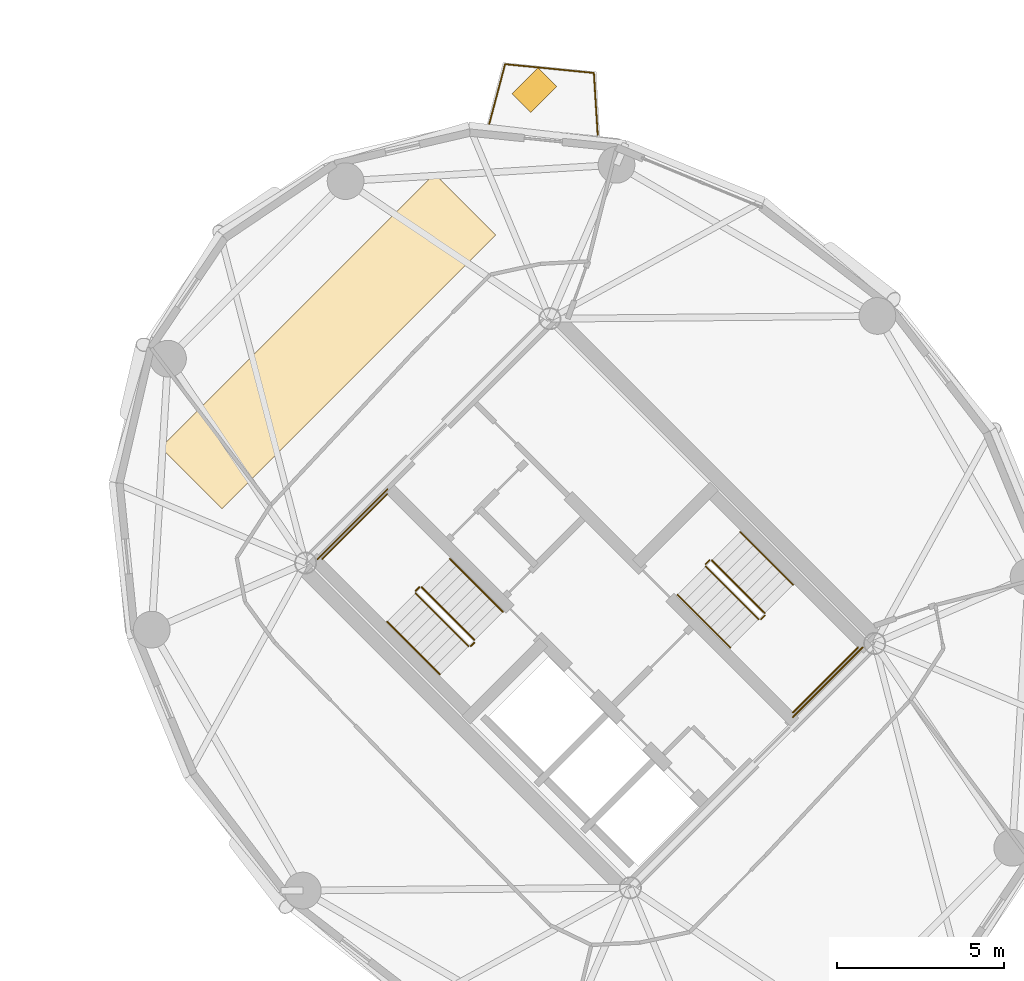
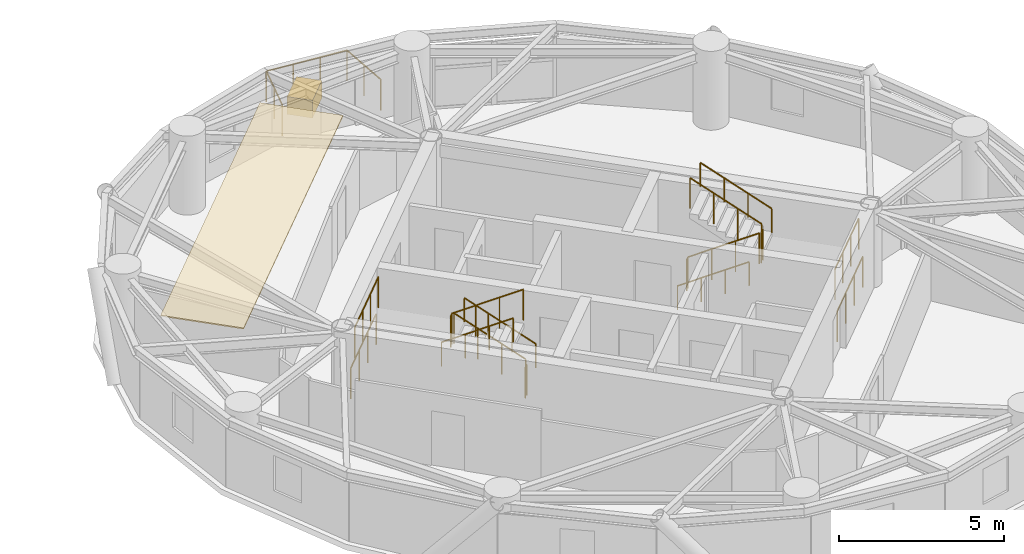
# One storey, part 14 of 15: 17 railings, 2 coverings.
"""IFC4 building model written with IfcOpenShell, lengths in metres."""

from ifc_helpers import new_model, si_unit, direction, frame, origin, origin_2d, place, context, subcontext, project, spatial, polyline, rectangle, circle, outline, extrude, source, transform, mapped, material, layer, layer_set, type_object, element, save


model = new_model("IFC4")

# Units and contexts
model_context = context("Model", 3, precision=1e-05, world=origin(), true_north=direction((0.0, 1.0)))
body_context = subcontext(model_context, "Body", "Model", "MODEL_VIEW")
ifc_project = project(units=[si_unit("LENGTHUNIT", "METRE"), si_unit("AREAUNIT", "SQUARE_METRE"), si_unit("VOLUMEUNIT", "CUBIC_METRE"), si_unit("PLANEANGLEUNIT", "RADIAN"), si_unit("MASSUNIT", "GRAM", prefix="KILO")], contexts=[model_context])

# Site, building, storey
site_placement = place(None, origin())
site = spatial("IfcSite", under=ifc_project, at=site_placement, CompositionType="ELEMENT")
building_placement = place(site_placement, origin())
building = spatial("IfcBuilding", under=site, at=building_placement, Name="Cununo Teusaquillo Station Towers", CompositionType="ELEMENT")
storey_placement = place(building_placement, frame((0.0, 0.0, 199.570068359375)))
storey = spatial("IfcBuildingStorey", under=building, at=storey_placement, Name="L63", CompositionType="ELEMENT", Elevation=199.570068359375)

# Covering
ifc_material_1 = material(Name="Mineral-fibre acoustic suspended ceiling tile", Category="finish")
ifc_layer_1 = layer(ifc_material_1, 0.044921875)
ifc_layer_set_1 = layer_set([ifc_layer_1], Name="Mineral-fibre acoustic suspended ceiling tile")
covering_type_1 = type_object("IfcCoveringType", Name="COV-CEIL-600", PredefinedType="CEILING", material=ifc_layer_set_1)
covering_1_placement = place(storey_placement, frame((0.0, 0.0, 2.655029296875)))
element("IfcCovering", 1, at=covering_1_placement, inside=storey, type_object=covering_type_1, Name="L63 Tower B Acoustic Ceiling", PredefinedType="CEILING", context=body_context, shape_type="SweptSolid", body=[
    extrude(outline(polyline([(52.8330078125, 37.369384765625), (54.671630859375, 35.531005859375), (46.468994140625, 27.328369140625), (44.630615234375, 29.1669921875), (52.8330078125, 37.369384765625)])), origin(), (0.0, 0.0, 1.0), 0.044921875),
])

# Railings
ifc_material_2 = material(Name="Anodised dark bronze aluminium EN AW-6063-T6", Category="aluminium")
railing_type_1 = type_object("IfcRailingType", Name="RL-EXT-GUARD", PredefinedType="GUARDRAIL", material=ifc_material_2)
railing_1_placement = place(storey_placement, frame((54.476806640625, 38.8583984375, 0.0)))
element("IfcRailing", 2, at=railing_1_placement, inside=storey, type_object=railing_type_1, Name="L63 Tower B Balcony Guardrail C02", PredefinedType="GUARDRAIL", context=body_context, shape_type="SweptSolid", body=[
    extrude(circle(Radius=0.02392578125, at=origin_2d()), frame((0.0, 0.0, 1.1259765625), z_axis=(0.256417131113, 0.966566218565, 0.0), x_axis=(-0.966566218565, 0.256417131113, 0.0)), (0.0, 0.0, 1.0), 1.854736328125),
    extrude(circle(Radius=0.02392578125, at=origin_2d()), frame((0.4755859375, 1.792724609375, 1.1259765625), z_axis=(0.995123619559, -0.098635601058, 0.0), x_axis=(0.098635601058, 0.995123619559, 0.0)), (0.0, 0.0, 1.0), 2.673095703125),
    extrude(circle(Radius=0.02392578125, at=origin_2d()), frame((3.1357421875, 1.529052734375, 1.1259765625), z_axis=(0.061615983027, -0.998099930185, 0.0), x_axis=(0.998099930185, 0.061615983027, 0.0)), (0.0, 0.0, 1.0), 1.854248046875),
    extrude(circle(Radius=0.02099609375, at=origin_2d()), origin(), (0.0, 0.0, 1.0), 1.101806640625),
    extrude(circle(Radius=0.02099609375, at=origin_2d()), frame((0.23779296875, 0.896484375, 0.0)), (0.0, 0.0, 1.0), 1.101806640625),
    extrude(circle(Radius=0.02099609375, at=origin_2d()), frame((0.4755859375, 1.792724609375, 0.0)), (0.0, 0.0, 1.0), 1.101806640625),
    extrude(circle(Radius=0.02099609375, at=origin_2d()), frame((1.3623046875, 1.704833984375, 0.0)), (0.0, 0.0, 1.0), 1.101806640625),
    extrude(circle(Radius=0.02099609375, at=origin_2d()), frame((2.2490234375, 1.616943359375, 0.0)), (0.0, 0.0, 1.0), 1.101806640625),
    extrude(circle(Radius=0.02099609375, at=origin_2d()), frame((3.1357421875, 1.529052734375, 0.0)), (0.0, 0.0, 1.0), 1.101806640625),
    extrude(circle(Radius=0.02099609375, at=origin_2d()), frame((3.19287109375, 0.603515625, 0.0)), (0.0, 0.0, 1.0), 1.101806640625),
    extrude(circle(Radius=0.02099609375, at=origin_2d()), frame((3.25, -0.32177734375, 0.0)), (0.0, 0.0, 1.0), 1.101806640625),
])
ifc_material_3 = material(Name="Steel EN 10025-2 S355J2", Category="steel")
railing_type_2 = type_object("IfcRailingType", Name="RL-INT-GUARD", PredefinedType="GUARDRAIL", material=ifc_material_3)
railing_2_placement = place(storey_placement, frame((54.03515625, 23.39697265625, 0.16162109375)))
element("IfcRailing", 3, at=railing_2_placement, inside=storey, type_object=railing_type_2, Name="L63 ST-T2-1 stair guard 1", PredefinedType="GUARDRAIL", context=body_context, shape_type="SweptSolid", body=[
    extrude(circle(Radius=0.02392578125, at=origin_2d()), frame((0.0, 0.0, 1.1259765625), z_axis=(-0.612361259024, 0.612361259024, 0.500027376144), x_axis=(-0.707106781187, -0.707106781187, 0.0)), (0.0, 0.0, 1.0), 2.586181640625),
    extrude(circle(Radius=0.02099609375, at=origin_2d()), origin(), (0.0, 0.0, 1.0), 1.101806640625),
    extrude(circle(Radius=0.02099609375, at=origin_2d()), frame((-0.52783203125, 0.52783203125, 0.43115234375)), (0.0, 0.0, 1.0), 1.101806640625),
    extrude(circle(Radius=0.02099609375, at=origin_2d()), frame((-1.055908203125, 1.055908203125, 0.862060546875)), (0.0, 0.0, 1.0), 1.101806640625),
    extrude(circle(Radius=0.02099609375, at=origin_2d()), frame((-1.583740234375, 1.583740234375, 1.293212890625)), (0.0, 0.0, 1.0), 1.101806640625),
])
railing_3_placement = place(storey_placement, frame((52.380615234375, 24.980712890625, 1.454833984375)))
element("IfcRailing", 4, at=railing_3_placement, inside=storey, type_object=railing_type_2, Name="L63 ST-T2-1 stair guard 2", PredefinedType="GUARDRAIL", context=body_context, shape_type="SweptSolid", body=[
    extrude(circle(Radius=0.02392578125, at=origin_2d()), frame((0.0, 0.0, 1.1259765625), z_axis=(-0.7078691598, -0.706343579714, 0.0), x_axis=(0.706343579714, -0.7078691598, 0.0)), (0.0, 0.0, 1.0), 0.159912109375),
    extrude(circle(Radius=0.02099609375, at=origin_2d()), origin(), (0.0, 0.0, 1.0), 1.101806640625),
    extrude(circle(Radius=0.02099609375, at=origin_2d()), frame((-0.11328125, -0.113037109375, 0.0)), (0.0, 0.0, 1.0), 1.101806640625),
])
railing_4_placement = place(storey_placement, frame((51.426025390625, 27.77392578125, 1.454833984375)))
element("IfcRailing", 5, at=railing_4_placement, inside=storey, type_object=railing_type_2, Name="L63 ST-T2-1 stair guard 3", PredefinedType="GUARDRAIL", context=body_context, shape_type="SweptSolid", body=[
    extrude(circle(Radius=0.02392578125, at=origin_2d()), frame((0.0, 0.0, 1.1259765625), z_axis=(-0.707106781187, -0.707106781187, 0.0), x_axis=(0.707106781187, -0.707106781187, 0.0)), (0.0, 0.0, 1.0), 2.760009765625),
    extrude(circle(Radius=0.02099609375, at=origin_2d()), origin(), (0.0, 0.0, 1.0), 1.101806640625),
    extrude(circle(Radius=0.02099609375, at=origin_2d()), frame((-0.650634765625, -0.650634765625, 0.0)), (0.0, 0.0, 1.0), 1.101806640625),
    extrude(circle(Radius=0.02099609375, at=origin_2d()), frame((-1.301025390625, -1.301025390625, 0.0)), (0.0, 0.0, 1.0), 1.101806640625),
    extrude(circle(Radius=0.02099609375, at=origin_2d()), frame((-1.95166015625, -1.95166015625, 0.0)), (0.0, 0.0, 1.0), 1.101806640625),
])
railing_5_placement = place(storey_placement, frame((52.267333984375, 24.796875, 1.61669921875)))
element("IfcRailing", 6, at=railing_5_placement, inside=storey, type_object=railing_type_2, Name="L63 ST-T2-1 stair guard 4", PredefinedType="GUARDRAIL", context=body_context, shape_type="SweptSolid", body=[
    extrude(circle(Radius=0.02392578125, at=origin_2d()), frame((0.0, 0.0, 1.1259765625), z_axis=(0.612420254088, -0.612325861324, 0.499998471934), x_axis=(0.707052281454, 0.707161276719, 0.0)), (0.0, 0.0, 1.0), 2.58642578125),
    extrude(circle(Radius=0.02099609375, at=origin_2d()), origin(), (0.0, 0.0, 1.0), 1.101806640625),
    extrude(circle(Radius=0.02099609375, at=origin_2d()), frame((0.528076171875, -0.52783203125, 0.43115234375)), (0.0, 0.0, 1.0), 1.101806640625),
    extrude(circle(Radius=0.02099609375, at=origin_2d()), frame((1.055908203125, -1.055908203125, 0.862060546875)), (0.0, 0.0, 1.0), 1.101806640625),
    extrude(circle(Radius=0.02099609375, at=origin_2d()), frame((1.583984375, -1.583740234375, 1.293212890625)), (0.0, 0.0, 1.0), 1.101806640625),
])
railing_6_placement = place(storey_placement, frame((54.03515625, 23.326171875, 0.0)))
element("IfcRailing", 7, at=railing_6_placement, inside=storey, type_object=railing_type_2, Name="L63 ST-T2-1 stair guard 5", PredefinedType="GUARDRAIL", context=body_context, shape_type="SweptSolid", body=[
    extrude(circle(Radius=0.02392578125, at=origin_2d()), frame((0.0, 0.0, 1.1259765625), z_axis=(-0.707106781187, -0.707106781187, 0.0), x_axis=(0.707106781187, -0.707106781187, 0.0)), (0.0, 0.0, 1.0), 0.159912109375),
    extrude(circle(Radius=0.02099609375, at=origin_2d()), origin(), (0.0, 0.0, 1.0), 1.101806640625),
    extrude(circle(Radius=0.02099609375, at=origin_2d()), frame((-0.113037109375, -0.113037109375, 0.0)), (0.0, 0.0, 1.0), 1.101806640625),
])
railing_7_placement = place(storey_placement, frame((51.426025390625, 27.915283203125, 0.0)))
element("IfcRailing", 8, at=railing_7_placement, inside=storey, type_object=railing_type_2, Name="L63 ST-T2-1 stair guard 6", PredefinedType="GUARDRAIL", context=body_context, shape_type="SweptSolid", body=[
    extrude(circle(Radius=0.02392578125, at=origin_2d()), frame((0.0, 0.0, 1.1259765625), z_axis=(-0.707106781187, -0.707106781187, 0.0), x_axis=(0.707106781187, -0.707106781187, 0.0)), (0.0, 0.0, 1.0), 2.9599609375),
    extrude(circle(Radius=0.02099609375, at=origin_2d()), origin(), (0.0, 0.0, 1.0), 1.101806640625),
    extrude(circle(Radius=0.02099609375, at=origin_2d()), frame((-0.69775390625, -0.69775390625, 0.0)), (0.0, 0.0, 1.0), 1.101806640625),
    extrude(circle(Radius=0.02099609375, at=origin_2d()), frame((-1.395263671875, -1.395263671875, 0.0)), (0.0, 0.0, 1.0), 1.101806640625),
    extrude(circle(Radius=0.02099609375, at=origin_2d()), frame((-2.093017578125, -2.093017578125, 0.0)), (0.0, 0.0, 1.0), 1.101806640625),
])
railing_8_placement = place(storey_placement, frame((60.96484375, 25.60302734375, 0.16162109375)))
element("IfcRailing", 9, at=railing_8_placement, inside=storey, type_object=railing_type_2, Name="L63 ST-T2-2 stair guard 1", PredefinedType="GUARDRAIL", context=body_context, shape_type="SweptSolid", body=[
    extrude(circle(Radius=0.02392578125, at=origin_2d()), frame((0.0, 0.0, 1.1259765625), z_axis=(0.612361259024, -0.612361259024, 0.500027376144), x_axis=(0.707106781187, 0.707106781187, 0.0)), (0.0, 0.0, 1.0), 2.586181640625),
    extrude(circle(Radius=0.02099609375, at=origin_2d()), origin(), (0.0, 0.0, 1.0), 1.101806640625),
    extrude(circle(Radius=0.02099609375, at=origin_2d()), frame((0.52783203125, -0.52783203125, 0.43115234375)), (0.0, 0.0, 1.0), 1.101806640625),
    extrude(circle(Radius=0.02099609375, at=origin_2d()), frame((1.055908203125, -1.055908203125, 0.862060546875)), (0.0, 0.0, 1.0), 1.101806640625),
    extrude(circle(Radius=0.02099609375, at=origin_2d()), frame((1.583740234375, -1.583740234375, 1.293212890625)), (0.0, 0.0, 1.0), 1.101806640625),
])
railing_9_placement = place(storey_placement, frame((62.619384765625, 24.019287109375, 1.454833984375)))
element("IfcRailing", 10, at=railing_9_placement, inside=storey, type_object=railing_type_2, Name="L63 ST-T2-2 stair guard 2", PredefinedType="GUARDRAIL", context=body_context, shape_type="SweptSolid", body=[
    extrude(circle(Radius=0.02392578125, at=origin_2d()), frame((0.0, 0.0, 1.1259765625), z_axis=(0.7078691598, 0.706343579714, 0.0), x_axis=(-0.706343579714, 0.7078691598, 0.0)), (0.0, 0.0, 1.0), 0.159912109375),
    extrude(circle(Radius=0.02099609375, at=origin_2d()), origin(), (0.0, 0.0, 1.0), 1.101806640625),
    extrude(circle(Radius=0.02099609375, at=origin_2d()), frame((0.11328125, 0.113037109375, 0.0)), (0.0, 0.0, 1.0), 1.101806640625),
])
railing_10_placement = place(storey_placement, frame((63.573974609375, 21.22607421875, 1.454833984375)))
element("IfcRailing", 11, at=railing_10_placement, inside=storey, type_object=railing_type_2, Name="L63 ST-T2-2 stair guard 3", PredefinedType="GUARDRAIL", context=body_context, shape_type="SweptSolid", body=[
    extrude(circle(Radius=0.02392578125, at=origin_2d()), frame((0.0, 0.0, 1.1259765625), z_axis=(0.707106781187, 0.707106781187, 0.0), x_axis=(-0.707106781187, 0.707106781187, 0.0)), (0.0, 0.0, 1.0), 2.760009765625),
    extrude(circle(Radius=0.02099609375, at=origin_2d()), origin(), (0.0, 0.0, 1.0), 1.101806640625),
    extrude(circle(Radius=0.02099609375, at=origin_2d()), frame((0.650634765625, 0.650634765625, 0.0)), (0.0, 0.0, 1.0), 1.101806640625),
    extrude(circle(Radius=0.02099609375, at=origin_2d()), frame((1.301025390625, 1.301025390625, 0.0)), (0.0, 0.0, 1.0), 1.101806640625),
    extrude(circle(Radius=0.02099609375, at=origin_2d()), frame((1.95166015625, 1.95166015625, 0.0)), (0.0, 0.0, 1.0), 1.101806640625),
])
railing_11_placement = place(storey_placement, frame((62.732666015625, 24.203125, 1.61669921875)))
element("IfcRailing", 12, at=railing_11_placement, inside=storey, type_object=railing_type_2, Name="L63 ST-T2-2 stair guard 4", PredefinedType="GUARDRAIL", context=body_context, shape_type="SweptSolid", body=[
    extrude(circle(Radius=0.02392578125, at=origin_2d()), frame((0.0, 0.0, 1.1259765625), z_axis=(-0.612420254088, 0.612325861324, 0.499998471934), x_axis=(-0.707052281454, -0.707161276719, 0.0)), (0.0, 0.0, 1.0), 2.58642578125),
    extrude(circle(Radius=0.02099609375, at=origin_2d()), origin(), (0.0, 0.0, 1.0), 1.101806640625),
    extrude(circle(Radius=0.02099609375, at=origin_2d()), frame((-0.528076171875, 0.52783203125, 0.43115234375)), (0.0, 0.0, 1.0), 1.101806640625),
    extrude(circle(Radius=0.02099609375, at=origin_2d()), frame((-1.055908203125, 1.055908203125, 0.862060546875)), (0.0, 0.0, 1.0), 1.101806640625),
    extrude(circle(Radius=0.02099609375, at=origin_2d()), frame((-1.583984375, 1.583740234375, 1.293212890625)), (0.0, 0.0, 1.0), 1.101806640625),
])
railing_12_placement = place(storey_placement, frame((60.96484375, 25.673828125, 0.0)))
element("IfcRailing", 13, at=railing_12_placement, inside=storey, type_object=railing_type_2, Name="L63 ST-T2-2 stair guard 5", PredefinedType="GUARDRAIL", context=body_context, shape_type="SweptSolid", body=[
    extrude(circle(Radius=0.02392578125, at=origin_2d()), frame((0.0, 0.0, 1.1259765625), z_axis=(0.707106781187, 0.707106781187, 0.0), x_axis=(-0.707106781187, 0.707106781187, 0.0)), (0.0, 0.0, 1.0), 0.159912109375),
    extrude(circle(Radius=0.02099609375, at=origin_2d()), origin(), (0.0, 0.0, 1.0), 1.101806640625),
    extrude(circle(Radius=0.02099609375, at=origin_2d()), frame((0.113037109375, 0.113037109375, 0.0)), (0.0, 0.0, 1.0), 1.101806640625),
])
railing_13_placement = place(storey_placement, frame((63.573974609375, 21.084716796875, 0.0)))
element("IfcRailing", 14, at=railing_13_placement, inside=storey, type_object=railing_type_2, Name="L63 ST-T2-2 stair guard 6", PredefinedType="GUARDRAIL", context=body_context, shape_type="SweptSolid", body=[
    extrude(circle(Radius=0.02392578125, at=origin_2d()), frame((0.0, 0.0, 1.1259765625), z_axis=(0.707106781187, 0.707106781187, 0.0), x_axis=(-0.707106781187, 0.707106781187, 0.0)), (0.0, 0.0, 1.0), 2.9599609375),
    extrude(circle(Radius=0.02099609375, at=origin_2d()), origin(), (0.0, 0.0, 1.0), 1.101806640625),
    extrude(circle(Radius=0.02099609375, at=origin_2d()), frame((0.69775390625, 0.69775390625, 0.0)), (0.0, 0.0, 1.0), 1.101806640625),
    extrude(circle(Radius=0.02099609375, at=origin_2d()), frame((1.395263671875, 1.395263671875, 0.0)), (0.0, 0.0, 1.0), 1.101806640625),
    extrude(circle(Radius=0.02099609375, at=origin_2d()), frame((2.093017578125, 2.093017578125, 0.0)), (0.0, 0.0, 1.0), 1.101806640625),
])
ifc_material_4 = material(Name="Steel EN 10025-2 S355J2", Category="steel")
railing_type_3 = type_object("IfcRailingType", Name="RL-INT-HRAIL", PredefinedType="HANDRAIL", material=ifc_material_4)
railing_14_placement = place(storey_placement, frame((54.8837890625, 24.245361328125, 0.16162109375)))
element("IfcRailing", 15, at=railing_14_placement, inside=storey, type_object=railing_type_3, Name="L63 ST-T2-1 stair handrail 1", PredefinedType="HANDRAIL", context=body_context, shape_type="SweptSolid", body=[
    extrude(circle(Radius=0.02392578125, at=origin_2d()), frame((0.0, 0.0, 0.8759765625), z_axis=(-0.612384857071, 0.612384857071, 0.499969572735), x_axis=(-0.707106781187, -0.707106781187, 0.0)), (0.0, 0.0, 1.0), 2.586669921875),
    extrude(circle(Radius=0.02099609375, at=origin_2d()), origin(), (0.0, 0.0, 1.0), 0.851806640625),
    extrude(circle(Radius=0.02099609375, at=origin_2d()), frame((-0.528076171875, 0.528076171875, 0.43115234375)), (0.0, 0.0, 1.0), 0.851806640625),
    extrude(circle(Radius=0.02099609375, at=origin_2d()), frame((-1.055908203125, 1.055908203125, 0.862060546875)), (0.0, 0.0, 1.0), 0.851806640625),
    extrude(circle(Radius=0.02099609375, at=origin_2d()), frame((-1.583984375, 1.583984375, 1.293212890625)), (0.0, 0.0, 1.0), 0.851806640625),
])
for number, where, name in (
    (16, (51.4189453125, 23.948486328125, 1.61669921875), "L63 ST-T2-1 stair handrail 2"),
    (17, (60.1162109375, 24.754638671875, 0.16162109375), "L63 ST-T2-2 stair handrail 1"),
):
    element("IfcRailing", number, at=place(storey_placement, frame(where)), inside=storey, type_object=railing_type_3, Name=name, PredefinedType="HANDRAIL", context=body_context, shape_type="SweptSolid", body=[
        extrude(circle(Radius=0.02392578125, at=origin_2d()), frame((0.0, 0.0, 0.8759765625), z_axis=(0.612384857071, -0.612384857071, 0.499969572735), x_axis=(0.707106781187, 0.707106781187, 0.0)), (0.0, 0.0, 1.0), 2.586669921875),
        extrude(circle(Radius=0.02099609375, at=origin_2d()), origin(), (0.0, 0.0, 1.0), 0.851806640625),
        extrude(circle(Radius=0.02099609375, at=origin_2d()), frame((0.528076171875, -0.528076171875, 0.43115234375)), (0.0, 0.0, 1.0), 0.851806640625),
        extrude(circle(Radius=0.02099609375, at=origin_2d()), frame((1.055908203125, -1.055908203125, 0.862060546875)), (0.0, 0.0, 1.0), 0.851806640625),
        extrude(circle(Radius=0.02099609375, at=origin_2d()), frame((1.583984375, -1.583984375, 1.293212890625)), (0.0, 0.0, 1.0), 0.851806640625),
    ])
railing_15_placement = place(storey_placement, frame((63.5810546875, 25.051513671875, 1.61669921875)))
element("IfcRailing", 18, at=railing_15_placement, inside=storey, type_object=railing_type_3, Name="L63 ST-T2-2 stair handrail 2", PredefinedType="HANDRAIL", context=body_context, shape_type="SweptSolid", body=[
    extrude(circle(Radius=0.02392578125, at=origin_2d()), frame((0.0, 0.0, 0.8759765625), z_axis=(-0.612384857071, 0.612384857071, 0.499969572735), x_axis=(-0.707106781187, -0.707106781187, 0.0)), (0.0, 0.0, 1.0), 2.586669921875),
    extrude(circle(Radius=0.02099609375, at=origin_2d()), origin(), (0.0, 0.0, 1.0), 0.851806640625),
    extrude(circle(Radius=0.02099609375, at=origin_2d()), frame((-0.528076171875, 0.528076171875, 0.43115234375)), (0.0, 0.0, 1.0), 0.851806640625),
    extrude(circle(Radius=0.02099609375, at=origin_2d()), frame((-1.055908203125, 1.055908203125, 0.862060546875)), (0.0, 0.0, 1.0), 0.851806640625),
    extrude(circle(Radius=0.02099609375, at=origin_2d()), frame((-1.583984375, 1.583984375, 1.293212890625)), (0.0, 0.0, 1.0), 0.851806640625),
])

# Covering
ifc_material_5 = material(Name="Architectural GRC planter shell and engineered root-zone substrate", Category="concrete")
ifc_layer_2 = layer(ifc_material_5, 0.64990234375)
ifc_layer_set_2 = layer_set([ifc_layer_2], Name="Architectural GRC planter shell and engineered root-zone substrate")
covering_type_2 = type_object("IfcCoveringType", Name="COV-TREE-PLANTER", PredefinedType="CLADDING", material=ifc_layer_set_2)
shared_shape = source(origin(), body_context, "Body", "SweptSolid", [
    extrude(rectangle(XDim=1.10009765625, YDim=0.800048828125, at=origin_2d()), origin(), (0.0, 0.0, 1.0), 0.64990234375),
])
covering_2_placement = place(storey_placement, frame((55.831298828125, 39.872314453125, 0.0), z_axis=(0.0, 0.0, 1.0), x_axis=(0.707106781187, 0.707106781187, 0.0)))
element("IfcCovering", 19, at=covering_2_placement, inside=storey, type_object=covering_type_2, Name="L63 Tower B Balcony Tree PLANTER C02", PredefinedType="CLADDING", context=body_context, shape_type="MappedRepresentation", body=[
    mapped(shared_shape, transform((0.0, 0.0, 0.0), x_axis=(1.0, 0.0, 0.0), y_axis=(0.0, 1.0, 0.0), z_axis=(0.0, 0.0, 1.0), scale=1.0)),
])

save(model, "model.ifc")
